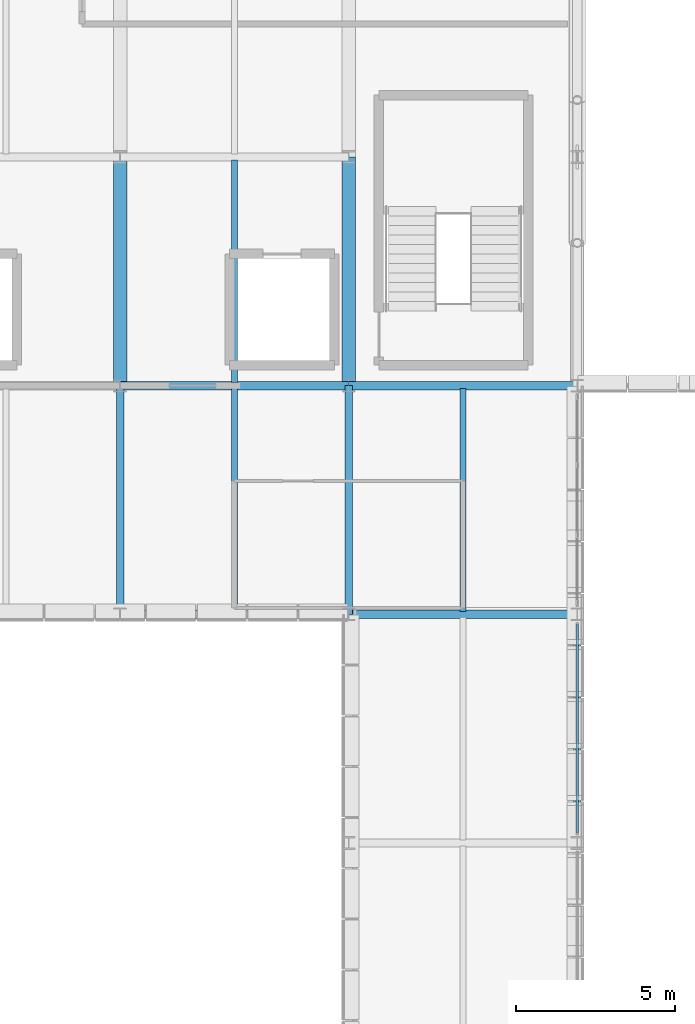
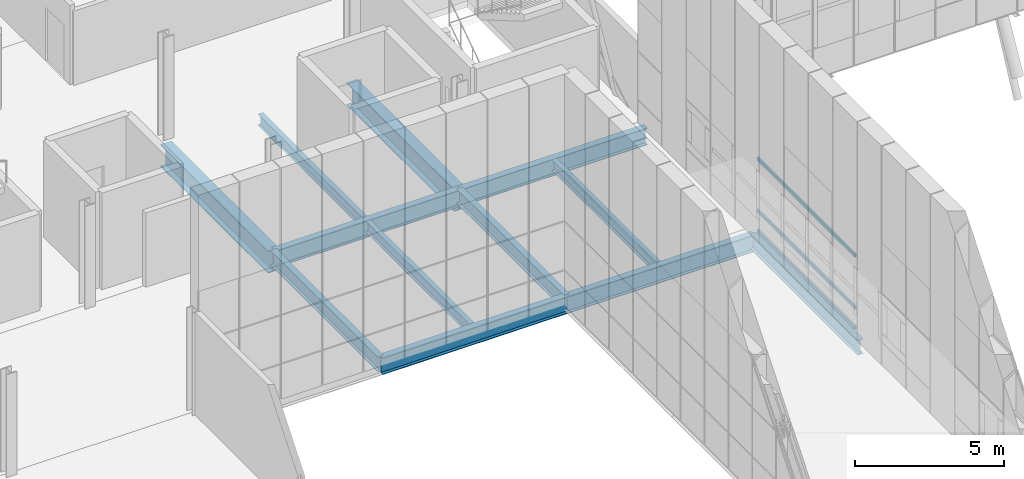
# One storey, part 21 of 144: 12 beams, 3 members, 1 element without a shape of its own.
"""IFC4 building model written with IfcOpenShell, lengths in metres."""

from ifc_helpers import new_model, si_unit, direction, frame, origin, origin_2d, place, context, subcontext, project, spatial, hollow_rectangle, i_section, extrude, material, material_profile, profile_set, type_object, element, aggregate, save


model = new_model("IFC4")

# Units and contexts
model_context = context("Model", 3, precision=1e-05, world=origin(), true_north=direction((0.0, 1.0)))
body_context = subcontext(model_context, "Body", "Model", "MODEL_VIEW")
ifc_project = project(units=[si_unit("LENGTHUNIT", "METRE"), si_unit("AREAUNIT", "SQUARE_METRE"), si_unit("VOLUMEUNIT", "CUBIC_METRE"), si_unit("PLANEANGLEUNIT", "RADIAN"), si_unit("MASSUNIT", "GRAM", prefix="KILO")], contexts=[model_context])

# Site, building, storey
site_placement = place(None, origin())
site = spatial("IfcSite", under=ifc_project, at=site_placement, CompositionType="ELEMENT")
building_placement = place(site_placement, origin())
building = spatial("IfcBuilding", under=site, at=building_placement, Name="Yarey Park Central Fire Station", CompositionType="ELEMENT")
storey_placement = place(building_placement, frame((0.0, 0.0, 10.199951171875)))
storey = spatial("IfcBuildingStorey", under=building, at=storey_placement, Name="L03", CompositionType="ELEMENT", Elevation=10.199951171875)

# Curtain wall, members
ifc_material_1 = material(Name="Anodized Aluminium Frame", Category="aluminium")
curtain_wall_type = type_object("IfcCurtainWallType", Name="ENV_CW_V3_OVR1", PredefinedType="NOTDEFINED", material=ifc_material_1)
curtain_wall_placement = place(storey_placement, origin())
curtain_wall = element("IfcCurtainWall", 1, at=curtain_wall_placement, inside=storey, type_object=curtain_wall_type, Name="CW_L03_V1_E_059", PredefinedType="NOTDEFINED")
ifc_material_profile_1 = material_profile(ifc_material_1, hollow_rectangle(XDim=0.070068359375, YDim=0.139892578125, WallThickness=0.00390625, at=origin_2d()), Name="ALU 140x70x4")
ifc_profile_set_1 = profile_set([ifc_material_profile_1], Name="Anodized Aluminium Frame")
member_type = type_object("IfcMemberType", Name="ENV_CW_TRANSOM", PredefinedType="USERDEFINED", material=ifc_profile_set_1)
member_1_placement = place(storey_placement, frame((57.60009765625, 43.52490234375, 0.025146484375), z_axis=(0.0, 1.0, 0.0), x_axis=(-1.0, 0.0, 0.0)))
member_1 = element("IfcMember", 2, at=member_1_placement, type_object=member_type, Name="CW_L03_V1_E_059_TRN1", ObjectType="TRANSOM", PredefinedType="USERDEFINED", context=body_context, shape_type="SweptSolid", body=[
    extrude(hollow_rectangle(XDim=0.070068359375, YDim=0.139892578125, WallThickness=0.00390625, at=origin_2d()), origin(), (0.0, 0.0, 1.0), 6.550048828125),
])
member_2_placement = place(storey_placement, frame((57.60009765625, 43.52490234375, 0.85009765625), z_axis=(0.0, 1.0, 0.0), x_axis=(-1.0, 0.0, 0.0)))
member_2 = element("IfcMember", 3, at=member_2_placement, type_object=member_type, Name="CW_L03_V1_E_059_TRN2", ObjectType="TRANSOM", PredefinedType="USERDEFINED", context=body_context, shape_type="SweptSolid", body=[
    extrude(hollow_rectangle(XDim=0.070068359375, YDim=0.139892578125, WallThickness=0.00390625, at=origin_2d()), origin(), (0.0, 0.0, 1.0), 6.550048828125),
])
member_3_placement = place(storey_placement, frame((57.60009765625, 43.52490234375, 2.97509765625), z_axis=(0.0, 1.0, 0.0), x_axis=(-1.0, 0.0, 0.0)))
member_3 = element("IfcMember", 4, at=member_3_placement, type_object=member_type, Name="CW_L03_V1_E_059_TRN3", ObjectType="TRANSOM", PredefinedType="USERDEFINED", context=body_context, shape_type="SweptSolid", body=[
    extrude(hollow_rectangle(XDim=0.070068359375, YDim=0.139892578125, WallThickness=0.00390625, at=origin_2d()), origin(), (0.0, 0.0, 1.0), 6.550048828125),
])
aggregate(curtain_wall, [member_1, member_2, member_3])

# Beams
ifc_material_2 = material(Name="Steel ASTM A992 Gr. 50", Category="steel")
ifc_material_profile_2 = material_profile(ifc_material_2, i_section(OverallWidth=0.22900390625, OverallDepth=0.612060546875, WebThickness=0.011962890625, FlangeThickness=0.01953125, at=origin_2d()), Name="W610x125")
ifc_profile_set_2 = profile_set([ifc_material_profile_2], Name="Steel ASTM A992 Gr. 50")
beam_type_1 = type_object("IfcBeamType", Name="STR_BM_W610", PredefinedType="BEAM", material=ifc_profile_set_2)
for number, where, z_axis, x_axis, name in (
    (5, (43.199951171875, 50.39990234375, -0.56591796875), (0.0, 1.0, 0.0), (-1.0, 0.0, 0.0), "BMY L03 X432 Y504"),
    (6, (50.39990234375, 50.39990234375, -0.56591796875), (0.0, 1.0, 0.0), (-1.0, 0.0, 0.0), "BMY L03 X504 Y504"),
):
    element("IfcBeam", number, at=place(storey_placement, frame(where, z_axis=z_axis, x_axis=x_axis)), inside=storey, type_object=beam_type_1, Name=name, PredefinedType="BEAM", context=body_context, shape_type="SweptSolid", body=[
        extrude(i_section(OverallWidth=0.22900390625, OverallDepth=0.612060546875, WebThickness=0.011962890625, FlangeThickness=0.01953125, at=origin_2d()), origin(), (0.0, 0.0, 1.0), 7.2001953125),
    ])
beam_1_placement = place(storey_placement, frame((57.60009765625, 43.199951171875, -0.56591796875), z_axis=(0.0, 1.0, 0.0), x_axis=(-1.0, 0.0, 0.0)))
element("IfcBeam", 7, at=beam_1_placement, inside=storey, type_object=beam_type_1, Name="BMY L03 X576 Y432", PredefinedType="BEAM", context=body_context, shape_type="SweptSolid", body=[
    extrude(i_section(OverallWidth=0.22900390625, OverallDepth=0.612060546875, WebThickness=0.011962890625, FlangeThickness=0.01953125, at=origin_2d()), origin(), (0.0, 0.0, 1.0), 7.199951171875),
])
ifc_material_profile_3 = material_profile(ifc_material_2, i_section(OverallWidth=0.256103515625, OverallDepth=0.693115234375, WebThickness=0.014404296875, FlangeThickness=0.023681640625, at=origin_2d()), Name="W690x170")
ifc_profile_set_3 = profile_set([ifc_material_profile_3], Name="Steel ASTM A992 Gr. 50")
beam_type_2 = type_object("IfcBeamType", Name="STR_BM_W690", PredefinedType="BEAM", material=ifc_profile_set_3)
beam_2_placement = place(storey_placement, frame((43.199951171875, 50.39990234375, -0.6064453125), z_axis=(1.0, 0.0, 0.0), x_axis=(0.0, 1.0, 0.0)))
element("IfcBeam", 8, at=beam_2_placement, inside=storey, type_object=beam_type_2, Name="BMX L03 Y504 X432", PredefinedType="BEAM", context=body_context, shape_type="SweptSolid", body=[
    extrude(i_section(OverallWidth=0.256103515625, OverallDepth=0.693115234375, WebThickness=0.014404296875, FlangeThickness=0.023681640625, at=origin_2d()), origin(), (0.0, 0.0, 1.0), 7.199951171875),
])
beam_3_placement = place(storey_placement, frame((50.39990234375, 50.39990234375, -0.6064453125), z_axis=(1.0, 0.0, 0.0), x_axis=(0.0, 1.0, 0.0)))
element("IfcBeam", 9, at=beam_3_placement, inside=storey, type_object=beam_type_2, Name="BMX L03 Y504 X504", PredefinedType="BEAM", context=body_context, shape_type="SweptSolid", body=[
    extrude(i_section(OverallWidth=0.256103515625, OverallDepth=0.693115234375, WebThickness=0.014404296875, FlangeThickness=0.023681640625, at=origin_2d()), origin(), (0.0, 0.0, 1.0), 7.2001953125),
])
beam_4_placement = place(storey_placement, frame((43.199951171875, 57.60009765625, -0.6064453125), z_axis=(1.0, 0.0, 0.0), x_axis=(0.0, 1.0, 0.0)))
element("IfcBeam", 10, at=beam_4_placement, inside=storey, type_object=beam_type_2, Name="BMX L03 Y576 X432", PredefinedType="BEAM", context=body_context, shape_type="SweptSolid", body=[
    extrude(i_section(OverallWidth=0.256103515625, OverallDepth=0.693115234375, WebThickness=0.014404296875, FlangeThickness=0.023681640625, at=origin_2d()), origin(), (0.0, 0.0, 1.0), 7.199951171875),
])
beam_5_placement = place(storey_placement, frame((50.39990234375, 57.60009765625, -0.6064453125), z_axis=(1.0, 0.0, 0.0), x_axis=(0.0, 1.0, 0.0)))
element("IfcBeam", 11, at=beam_5_placement, inside=storey, type_object=beam_type_2, Name="BMX L03 Y576 X504", PredefinedType="BEAM", context=body_context, shape_type="SweptSolid", body=[
    extrude(i_section(OverallWidth=0.256103515625, OverallDepth=0.693115234375, WebThickness=0.014404296875, FlangeThickness=0.023681640625, at=origin_2d()), origin(), (0.0, 0.0, 1.0), 7.2001953125),
])
ifc_material_profile_4 = material_profile(ifc_material_2, i_section(OverallWidth=0.41796875, OverallDepth=0.912109375, WebThickness=0.019287109375, FlangeThickness=0.031982421875, at=origin_2d()), Name="W920x342")
ifc_profile_set_4 = profile_set([ifc_material_profile_4], Name="Steel ASTM A992 Gr. 50")
beam_type_3 = type_object("IfcBeamType", Name="STR_BM_W920", PredefinedType="BEAM", material=ifc_profile_set_4)
for number, where, z_axis, x_axis, name in (
    (12, (43.199951171875, 57.60009765625, -0.716064453125), (0.0, 1.0, 0.0), (-1.0, 0.0, 0.0), "Transfer Truss TT3 L03 CH1"),
    (13, (50.39990234375, 57.60009765625, -0.716064453125), (0.0, 1.0, 0.0), (-1.0, 0.0, 0.0), "Transfer Truss TT4 L03 CH1"),
):
    element("IfcBeam", number, at=place(storey_placement, frame(where, z_axis=z_axis, x_axis=x_axis)), inside=storey, type_object=beam_type_3, Name=name, PredefinedType="BEAM", context=body_context, shape_type="SweptSolid", body=[
        extrude(i_section(OverallWidth=0.41796875, OverallDepth=0.912109375, WebThickness=0.019287109375, FlangeThickness=0.031982421875, at=origin_2d()), origin(), (0.0, 0.0, 1.0), 7.199951171875),
    ])
ifc_material_profile_5 = material_profile(ifc_material_2, i_section(OverallWidth=0.18994140625, OverallDepth=0.45703125, WebThickness=0.009033203125, FlangeThickness=0.014404296875, at=origin_2d()), Name="W460x74")
ifc_profile_set_5 = profile_set([ifc_material_profile_5], Name="Steel ASTM A992 Gr. 50")
beam_type_4 = type_object("IfcBeamType", Name="STR_JST_W460", PredefinedType="JOIST", material=ifc_profile_set_5)
beam_6_placement = place(storey_placement, frame((46.800048828125, 50.4951171875, -0.488525390625), z_axis=(0.0, 1.0, 0.0), x_axis=(-1.0, 0.0, 0.0)))
element("IfcBeam", 14, at=beam_6_placement, inside=storey, type_object=beam_type_4, Name="JST L03 X468 Y504", PredefinedType="JOIST", context=body_context, shape_type="SweptSolid", body=[
    extrude(i_section(OverallWidth=0.18994140625, OverallDepth=0.45703125, WebThickness=0.009033203125, FlangeThickness=0.014404296875, at=origin_2d()), origin(), (0.0, 0.0, 1.0), 7.009765625),
])
beam_7_placement = place(storey_placement, frame((46.800048828125, 57.695068359375, -0.488525390625), z_axis=(0.0, 1.0, 0.0), x_axis=(-1.0, 0.0, 0.0)))
element("IfcBeam", 15, at=beam_7_placement, inside=storey, type_object=beam_type_4, Name="JST L03 X468 Y576", PredefinedType="JOIST", context=body_context, shape_type="SweptSolid", body=[
    extrude(i_section(OverallWidth=0.18994140625, OverallDepth=0.45703125, WebThickness=0.009033203125, FlangeThickness=0.014404296875, at=origin_2d()), origin(), (0.0, 0.0, 1.0), 7.010009765625),
])
beam_8_placement = place(storey_placement, frame((54.0, 50.4951171875, -0.488525390625), z_axis=(0.0, 1.0, 0.0), x_axis=(-1.0, 0.0, 0.0)))
element("IfcBeam", 16, at=beam_8_placement, inside=storey, type_object=beam_type_4, Name="JST L03 X540 Y504", PredefinedType="JOIST", context=body_context, shape_type="SweptSolid", body=[
    extrude(i_section(OverallWidth=0.18994140625, OverallDepth=0.45703125, WebThickness=0.009033203125, FlangeThickness=0.014404296875, at=origin_2d()), origin(), (0.0, 0.0, 1.0), 7.009765625),
])

save(model, "model.ifc")
